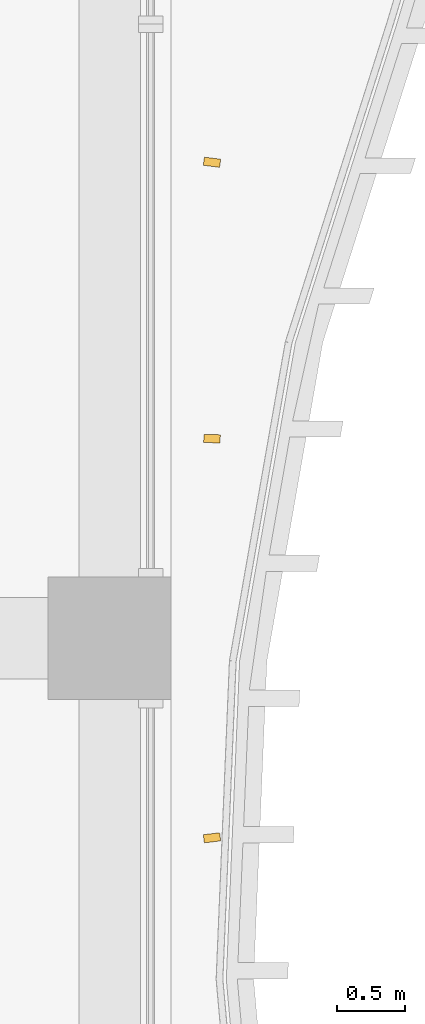
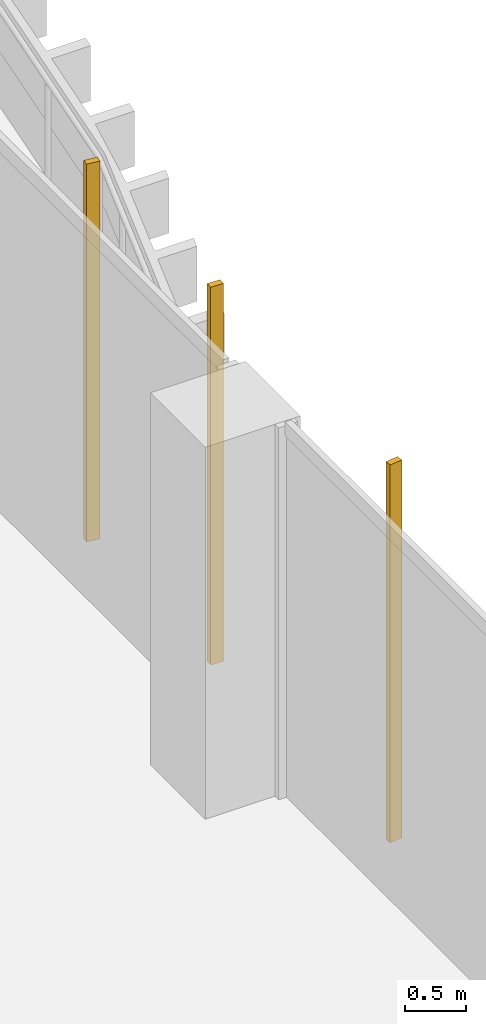
# One storey, part 25 of 27: 3 shading devices.
"""IFC4 building model written with IfcOpenShell, lengths in metres."""

from ifc_helpers import new_model, si_unit, direction, frame, origin, origin_2d, place, context, subcontext, project, spatial, rectangle, extrude, source, transform, mapped, material, material_profile, profile_set, type_object, element, save


model = new_model("IFC4")

# Units and contexts
model_context = context("Model", 3, precision=1e-05, world=origin(), true_north=direction((0.0, 1.0)))
body_context = subcontext(model_context, "Body", "Model", "MODEL_VIEW")
ifc_project = project(units=[si_unit("LENGTHUNIT", "METRE"), si_unit("AREAUNIT", "SQUARE_METRE"), si_unit("VOLUMEUNIT", "CUBIC_METRE"), si_unit("PLANEANGLEUNIT", "RADIAN"), si_unit("MASSUNIT", "GRAM", prefix="KILO")], contexts=[model_context])

# Site, building, storey
site_placement = place(None, origin())
site = spatial("IfcSite", under=ifc_project, at=site_placement, CompositionType="ELEMENT")
building_placement = place(site_placement, origin())
building = spatial("IfcBuilding", under=site, at=building_placement, Name="Kilnfold Tower and Market Hall", CompositionType="ELEMENT")
storey_placement = place(building_placement, frame((0.0, 0.0, 43.0)))
storey = spatial("IfcBuildingStorey", under=building, at=storey_placement, Name="L09", CompositionType="ELEMENT", Elevation=43.0)

# Shading devices
ifc_material = material(Name="Terracotta", Category="masonry")
ifc_material_profile = material_profile(ifc_material, rectangle(XDim=0.06005859375, YDim=0.1201171875, at=origin_2d()), Name="BAG 60x120")
ifc_profile_set = profile_set([ifc_material_profile], Name="Terracotta")
shading_device_type = type_object("IfcShadingDeviceType", Name="BAGUETTE", PredefinedType="USERDEFINED", material=ifc_profile_set)
shared_shape = source(origin(), body_context, "Body", "SweptSolid", [
    extrude(rectangle(XDim=0.06005859375, YDim=0.1201171875, at=origin_2d()), origin(), (0.0, 0.0, 1.0), 3.780029296875),
])
for number, where, z_axis, x_axis, name in (
    (1, (28.300048828125, -2.46240234375, 0.0), (0.0, 0.0, 1.0), (-0.121772332913, 0.99255805822, 0.0), "Terracotta baguette L09 E"),
    (2, (28.300048828125, 0.46240234375, 0.0), (0.0, 0.0, 1.0), (0.034367490639, 0.999409263309, 0.0), "Terracotta baguette L09 E"),
    (3, (28.300048828125, 2.487548828125, 0.0), (0.0, 0.0, 1.0), (0.127525089406, 0.99183534499, 0.0), "Terracotta baguette L09 E"),
):
    element("IfcShadingDevice", number, at=place(storey_placement, frame(where, z_axis=z_axis, x_axis=x_axis)), inside=storey, type_object=shading_device_type, Name=name, ObjectType="BAGUETTE", PredefinedType="USERDEFINED", context=body_context, shape_type="MappedRepresentation", body=[
        mapped(shared_shape, transform((0.0, 0.0, 0.0))),
    ])

save(model, "model.ifc")
